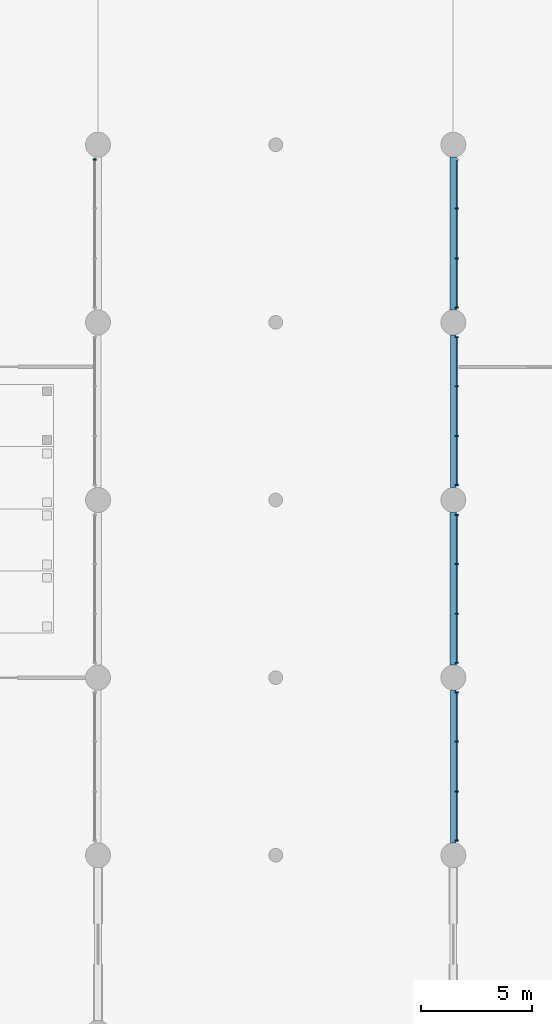
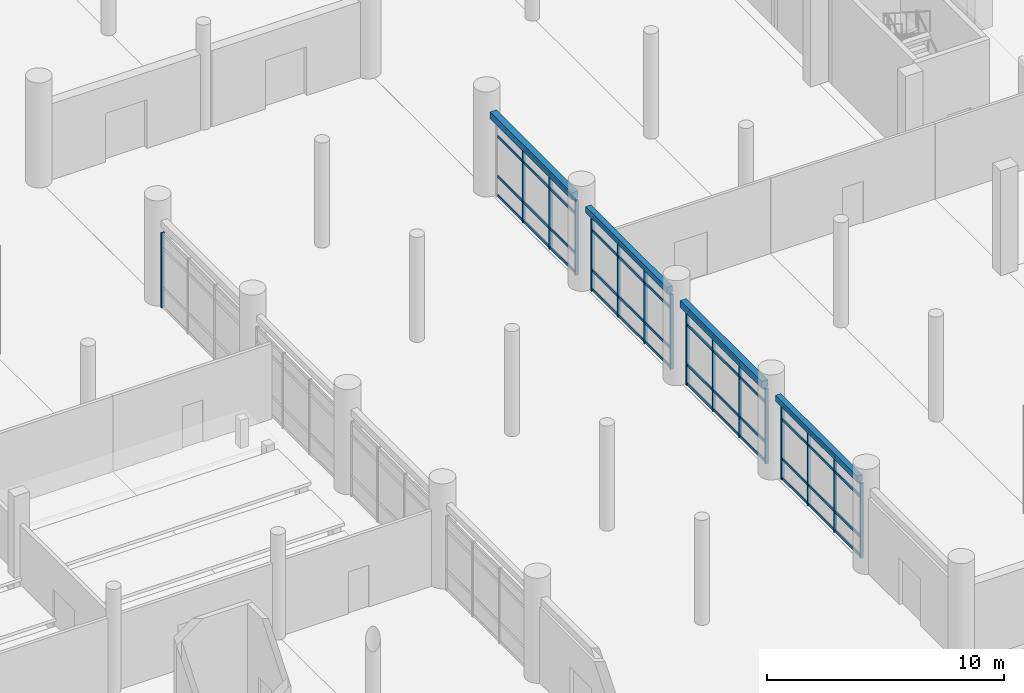
# One storey, part 6 of 42: 63 members, 4 beams, 5 elements without a shape of their own.
"""IFC4 building model written with IfcOpenShell, lengths in metres."""

from ifc_helpers import new_model, si_unit, direction, frame, origin, origin_2d, place, context, subcontext, project, spatial, rectangle, extrude, material, material_profile, profile_set, type_object, element, aggregate, save


model = new_model("IFC4")

# Units and contexts
model_context = context("Model", 3, precision=1e-05, world=origin(), true_north=direction((0.0, 1.0)))
body_context = subcontext(model_context, "Body", "Model", "MODEL_VIEW")
ifc_project = project(units=[si_unit("LENGTHUNIT", "METRE"), si_unit("AREAUNIT", "SQUARE_METRE"), si_unit("VOLUMEUNIT", "CUBIC_METRE"), si_unit("PLANEANGLEUNIT", "RADIAN"), si_unit("MASSUNIT", "GRAM", prefix="KILO")], contexts=[model_context])

# Site, building, storey
site_placement = place(None, origin())
site = spatial("IfcSite", under=ifc_project, at=site_placement, CompositionType="ELEMENT")
building_placement = place(site_placement, origin())
building = spatial("IfcBuilding", under=site, at=building_placement, Name="Pecanmere Concourse Central Library", CompositionType="ELEMENT")
storey_placement = place(building_placement, origin())
storey = spatial("IfcBuildingStorey", under=building, at=storey_placement, Name="L01", CompositionType="ELEMENT", Elevation=0.0)

# Curtain wall, members
ifc_material_1 = material(Name="Clear anodized aluminium alloy 6063-T6", Category="aluminium")
curtain_wall_type = type_object("IfcCurtainWallType", Name="CW_CLOISTER_GLAZ", PredefinedType="USERDEFINED", material=ifc_material_1)
curtain_wall_1_placement = place(storey_placement, origin())
curtain_wall_1 = element("IfcCurtainWall", 1, at=curtain_wall_1_placement, inside=storey, type_object=curtain_wall_type, Name="Unitised Curtain Wall CW-04 L01-164", ObjectType="UNITISED CURTAIN WALL", PredefinedType="USERDEFINED")
ifc_material_2 = material(Name="Clear anodized aluminium alloy 6063-T6", Category="aluminium")
ifc_material_profile_1 = material_profile(ifc_material_2, rectangle(XDim=0.06005859375, YDim=0.14990234375, at=origin_2d()), Name="AL 60x150")
ifc_profile_set_1 = profile_set([ifc_material_profile_1], Name="Clear anodized aluminium alloy 6063-T6")
member_type_1 = type_object("IfcMemberType", Name="CWM_150x60", PredefinedType="MULLION", material=ifc_profile_set_1)
member_1_placement = place(storey_placement, frame((96.14990234375, 39.330078125, 0.0), z_axis=(0.0, 0.0, 1.0), x_axis=(0.0, -1.0, 0.0)))
member_1 = element("IfcMember", 2, at=member_1_placement, type_object=member_type_1, Name="CW-04 Mullion 1", PredefinedType="MULLION", context=body_context, shape_type="SweptSolid", body=[
    extrude(rectangle(XDim=0.06005859375, YDim=0.14990234375, at=origin_2d()), origin(), (0.0, 0.0, 1.0), 3.85009765625),
])
member_2_placement = place(storey_placement, frame((96.14990234375, 37.1201171875, 0.0), z_axis=(0.0, 0.0, 1.0), x_axis=(0.0, -1.0, 0.0)))
member_2 = element("IfcMember", 3, at=member_2_placement, type_object=member_type_1, Name="CW-04 Mullion 2", PredefinedType="MULLION", context=body_context, shape_type="SweptSolid", body=[
    extrude(rectangle(XDim=0.06005859375, YDim=0.14990234375, at=origin_2d()), origin(), (0.0, 0.0, 1.0), 3.85009765625),
])
member_3_placement = place(storey_placement, frame((96.14990234375, 34.8798828125, 0.0), z_axis=(0.0, 0.0, 1.0), x_axis=(0.0, -1.0, 0.0)))
member_3 = element("IfcMember", 4, at=member_3_placement, type_object=member_type_1, Name="CW-04 Mullion 3", PredefinedType="MULLION", context=body_context, shape_type="SweptSolid", body=[
    extrude(rectangle(XDim=0.06005859375, YDim=0.14990234375, at=origin_2d()), origin(), (0.0, 0.0, 1.0), 3.85009765625),
])
member_4_placement = place(storey_placement, frame((96.14990234375, 32.669921875, 0.0), z_axis=(0.0, 0.0, 1.0), x_axis=(0.0, -1.0, 0.0)))
member_4 = element("IfcMember", 5, at=member_4_placement, type_object=member_type_1, Name="CW-04 Mullion 4", PredefinedType="MULLION", context=body_context, shape_type="SweptSolid", body=[
    extrude(rectangle(XDim=0.06005859375, YDim=0.14990234375, at=origin_2d()), origin(), (0.0, 0.0, 1.0), 3.85009765625),
])

curtain_wall_2_placement = place(storey_placement, origin())
curtain_wall_2 = element("IfcCurtainWall", 6, at=curtain_wall_2_placement, inside=storey, type_object=curtain_wall_type, Name="Unitised Curtain Wall CW-04 L01-166", ObjectType="UNITISED CURTAIN WALL", PredefinedType="USERDEFINED")
member_5_placement = place(storey_placement, frame((96.14990234375, 47.330078125, 0.0), z_axis=(0.0, 0.0, 1.0), x_axis=(0.0, -1.0, 0.0)))
member_5 = element("IfcMember", 7, at=member_5_placement, type_object=member_type_1, Name="CW-04 Mullion 1", PredefinedType="MULLION", context=body_context, shape_type="SweptSolid", body=[
    extrude(rectangle(XDim=0.06005859375, YDim=0.14990234375, at=origin_2d()), origin(), (0.0, 0.0, 1.0), 3.85009765625),
])
member_6_placement = place(storey_placement, frame((96.14990234375, 45.1201171875, 0.0), z_axis=(0.0, 0.0, 1.0), x_axis=(0.0, -1.0, 0.0)))
member_6 = element("IfcMember", 8, at=member_6_placement, type_object=member_type_1, Name="CW-04 Mullion 2", PredefinedType="MULLION", context=body_context, shape_type="SweptSolid", body=[
    extrude(rectangle(XDim=0.06005859375, YDim=0.14990234375, at=origin_2d()), origin(), (0.0, 0.0, 1.0), 3.85009765625),
])
member_7_placement = place(storey_placement, frame((96.14990234375, 42.8798828125, 0.0), z_axis=(0.0, 0.0, 1.0), x_axis=(0.0, -1.0, 0.0)))
member_7 = element("IfcMember", 9, at=member_7_placement, type_object=member_type_1, Name="CW-04 Mullion 3", PredefinedType="MULLION", context=body_context, shape_type="SweptSolid", body=[
    extrude(rectangle(XDim=0.06005859375, YDim=0.14990234375, at=origin_2d()), origin(), (0.0, 0.0, 1.0), 3.85009765625),
])
member_8_placement = place(storey_placement, frame((96.14990234375, 40.669921875, 0.0), z_axis=(0.0, 0.0, 1.0), x_axis=(0.0, -1.0, 0.0)))
member_8 = element("IfcMember", 10, at=member_8_placement, type_object=member_type_1, Name="CW-04 Mullion 4", PredefinedType="MULLION", context=body_context, shape_type="SweptSolid", body=[
    extrude(rectangle(XDim=0.06005859375, YDim=0.14990234375, at=origin_2d()), origin(), (0.0, 0.0, 1.0), 3.85009765625),
])

curtain_wall_3_placement = place(storey_placement, origin())
curtain_wall_3 = element("IfcCurtainWall", 11, at=curtain_wall_3_placement, inside=storey, type_object=curtain_wall_type, Name="Unitised Curtain Wall CW-04 L01-168", ObjectType="UNITISED CURTAIN WALL", PredefinedType="USERDEFINED")
member_9_placement = place(storey_placement, frame((96.14990234375, 55.330078125, 0.0), z_axis=(0.0, 0.0, 1.0), x_axis=(0.0, -1.0, 0.0)))
member_9 = element("IfcMember", 12, at=member_9_placement, type_object=member_type_1, Name="CW-04 Mullion 1", PredefinedType="MULLION", context=body_context, shape_type="SweptSolid", body=[
    extrude(rectangle(XDim=0.06005859375, YDim=0.14990234375, at=origin_2d()), origin(), (0.0, 0.0, 1.0), 3.85009765625),
])
member_10_placement = place(storey_placement, frame((96.14990234375, 53.1201171875, 0.0), z_axis=(0.0, 0.0, 1.0), x_axis=(0.0, -1.0, 0.0)))
member_10 = element("IfcMember", 13, at=member_10_placement, type_object=member_type_1, Name="CW-04 Mullion 2", PredefinedType="MULLION", context=body_context, shape_type="SweptSolid", body=[
    extrude(rectangle(XDim=0.06005859375, YDim=0.14990234375, at=origin_2d()), origin(), (0.0, 0.0, 1.0), 3.85009765625),
])
member_11_placement = place(storey_placement, frame((96.14990234375, 50.8798828125, 0.0), z_axis=(0.0, 0.0, 1.0), x_axis=(0.0, -1.0, 0.0)))
member_11 = element("IfcMember", 14, at=member_11_placement, type_object=member_type_1, Name="CW-04 Mullion 3", PredefinedType="MULLION", context=body_context, shape_type="SweptSolid", body=[
    extrude(rectangle(XDim=0.06005859375, YDim=0.14990234375, at=origin_2d()), origin(), (0.0, 0.0, 1.0), 3.85009765625),
])
member_12_placement = place(storey_placement, frame((96.14990234375, 48.669921875, 0.0), z_axis=(0.0, 0.0, 1.0), x_axis=(0.0, -1.0, 0.0)))
member_12 = element("IfcMember", 15, at=member_12_placement, type_object=member_type_1, Name="CW-04 Mullion 4", PredefinedType="MULLION", context=body_context, shape_type="SweptSolid", body=[
    extrude(rectangle(XDim=0.06005859375, YDim=0.14990234375, at=origin_2d()), origin(), (0.0, 0.0, 1.0), 3.85009765625),
])

# Curtain wall, member
curtain_wall_4_placement = place(storey_placement, origin())
curtain_wall_4 = element("IfcCurtainWall", 16, at=curtain_wall_4_placement, inside=storey, type_object=curtain_wall_type, Name="Unitised Curtain Wall CW-04 L01-169", ObjectType="UNITISED CURTAIN WALL", PredefinedType="USERDEFINED")
member_13_placement = place(storey_placement, frame((79.85009765625, 63.330078125, 0.0), z_axis=(0.0, 0.0, 1.0), x_axis=(0.0, 1.0, 0.0)))
member_13 = element("IfcMember", 17, at=member_13_placement, type_object=member_type_1, Name="CW-04 Mullion 4", PredefinedType="MULLION", context=body_context, shape_type="SweptSolid", body=[
    extrude(rectangle(XDim=0.06005859375, YDim=0.14990234375, at=origin_2d()), origin(), (0.0, 0.0, 1.0), 3.85009765625),
])
aggregate(curtain_wall_4, [member_13])

# Curtain wall, members
curtain_wall_5_placement = place(storey_placement, origin())
curtain_wall_5 = element("IfcCurtainWall", 18, at=curtain_wall_5_placement, inside=storey, type_object=curtain_wall_type, Name="Unitised Curtain Wall CW-04 L01-170", ObjectType="UNITISED CURTAIN WALL", PredefinedType="USERDEFINED")
member_14_placement = place(storey_placement, frame((96.14990234375, 61.1201171875, 0.0), z_axis=(0.0, 0.0, 1.0), x_axis=(0.0, -1.0, 0.0)))
member_14 = element("IfcMember", 19, at=member_14_placement, type_object=member_type_1, Name="CW-04 Mullion 2", PredefinedType="MULLION", context=body_context, shape_type="SweptSolid", body=[
    extrude(rectangle(XDim=0.06005859375, YDim=0.14990234375, at=origin_2d()), origin(), (0.0, 0.0, 1.0), 3.85009765625),
])
member_15_placement = place(storey_placement, frame((96.14990234375, 58.8798828125, 0.0), z_axis=(0.0, 0.0, 1.0), x_axis=(0.0, -1.0, 0.0)))
member_15 = element("IfcMember", 20, at=member_15_placement, type_object=member_type_1, Name="CW-04 Mullion 3", PredefinedType="MULLION", context=body_context, shape_type="SweptSolid", body=[
    extrude(rectangle(XDim=0.06005859375, YDim=0.14990234375, at=origin_2d()), origin(), (0.0, 0.0, 1.0), 3.85009765625),
])
member_16_placement = place(storey_placement, frame((96.14990234375, 56.669921875, 0.0), z_axis=(0.0, 0.0, 1.0), x_axis=(0.0, -1.0, 0.0)))
member_16 = element("IfcMember", 21, at=member_16_placement, type_object=member_type_1, Name="CW-04 Mullion 4", PredefinedType="MULLION", context=body_context, shape_type="SweptSolid", body=[
    extrude(rectangle(XDim=0.06005859375, YDim=0.14990234375, at=origin_2d()), origin(), (0.0, 0.0, 1.0), 3.85009765625),
])

# Member
ifc_material_3 = material(Name="Clear anodized aluminium alloy 6063-T6", Category="aluminium")
ifc_material_profile_2 = material_profile(ifc_material_3, rectangle(XDim=0.054931640625, YDim=0.139892578125, at=origin_2d()), Name="AL 55x140")
ifc_profile_set_2 = profile_set([ifc_material_profile_2], Name="Clear anodized aluminium alloy 6063-T6")
member_type_2 = type_object("IfcMemberType", Name="CWT_140x55", PredefinedType="USERDEFINED", material=ifc_profile_set_2)
member_17_placement = place(storey_placement, frame((96.14990234375, 39.300048828125, 0.070068359375), z_axis=(0.0, -1.0, 0.0), x_axis=(1.0, 0.0, 0.0)))
member_17 = element("IfcMember", 22, at=member_17_placement, type_object=member_type_2, Name="CW-04 Transom 1.1", ObjectType="TRANSOM", PredefinedType="USERDEFINED", context=body_context, shape_type="SweptSolid", body=[
    extrude(rectangle(XDim=0.054931640625, YDim=0.139892578125, at=origin_2d()), origin(), (0.0, 0.0, 1.0), 2.150146484375),
])

member_18_placement = place(storey_placement, frame((96.14990234375, 39.300048828125, 1.050048828125), z_axis=(0.0, -1.0, 0.0), x_axis=(1.0, 0.0, 0.0)))
member_18 = element("IfcMember", 23, at=member_18_placement, type_object=member_type_2, Name="CW-04 Transom 1.2", ObjectType="TRANSOM", PredefinedType="USERDEFINED", context=body_context, shape_type="SweptSolid", body=[
    extrude(rectangle(XDim=0.054931640625, YDim=0.139892578125, at=origin_2d()), origin(), (0.0, 0.0, 1.0), 2.150146484375),
])

member_19_placement = place(storey_placement, frame((96.14990234375, 39.300048828125, 3.10009765625), z_axis=(0.0, -1.0, 0.0), x_axis=(1.0, 0.0, 0.0)))
member_19 = element("IfcMember", 24, at=member_19_placement, type_object=member_type_2, Name="CW-04 Transom 1.3", ObjectType="TRANSOM", PredefinedType="USERDEFINED", context=body_context, shape_type="SweptSolid", body=[
    extrude(rectangle(XDim=0.054931640625, YDim=0.139892578125, at=origin_2d()), origin(), (0.0, 0.0, 1.0), 2.150146484375),
])

member_20_placement = place(storey_placement, frame((96.14990234375, 39.300048828125, 3.780029296875), z_axis=(0.0, -1.0, 0.0), x_axis=(1.0, 0.0, 0.0)))
member_20 = element("IfcMember", 25, at=member_20_placement, type_object=member_type_2, Name="CW-04 Transom 1.4", ObjectType="TRANSOM", PredefinedType="USERDEFINED", context=body_context, shape_type="SweptSolid", body=[
    extrude(rectangle(XDim=0.054931640625, YDim=0.139892578125, at=origin_2d()), origin(), (0.0, 0.0, 1.0), 2.150146484375),
])

member_21_placement = place(storey_placement, frame((96.14990234375, 37.090087890625, 0.070068359375), z_axis=(0.0, -1.0, 0.0), x_axis=(1.0, 0.0, 0.0)))
member_21 = element("IfcMember", 26, at=member_21_placement, type_object=member_type_2, Name="CW-04 Transom 2.1", ObjectType="TRANSOM", PredefinedType="USERDEFINED", context=body_context, shape_type="SweptSolid", body=[
    extrude(rectangle(XDim=0.054931640625, YDim=0.139892578125, at=origin_2d()), origin(), (0.0, 0.0, 1.0), 2.18017578125),
])

member_22_placement = place(storey_placement, frame((96.14990234375, 37.090087890625, 1.050048828125), z_axis=(0.0, -1.0, 0.0), x_axis=(1.0, 0.0, 0.0)))
member_22 = element("IfcMember", 27, at=member_22_placement, type_object=member_type_2, Name="CW-04 Transom 2.2", ObjectType="TRANSOM", PredefinedType="USERDEFINED", context=body_context, shape_type="SweptSolid", body=[
    extrude(rectangle(XDim=0.054931640625, YDim=0.139892578125, at=origin_2d()), origin(), (0.0, 0.0, 1.0), 2.18017578125),
])

member_23_placement = place(storey_placement, frame((96.14990234375, 37.090087890625, 3.10009765625), z_axis=(0.0, -1.0, 0.0), x_axis=(1.0, 0.0, 0.0)))
member_23 = element("IfcMember", 28, at=member_23_placement, type_object=member_type_2, Name="CW-04 Transom 2.3", ObjectType="TRANSOM", PredefinedType="USERDEFINED", context=body_context, shape_type="SweptSolid", body=[
    extrude(rectangle(XDim=0.054931640625, YDim=0.139892578125, at=origin_2d()), origin(), (0.0, 0.0, 1.0), 2.18017578125),
])

member_24_placement = place(storey_placement, frame((96.14990234375, 37.090087890625, 3.780029296875), z_axis=(0.0, -1.0, 0.0), x_axis=(1.0, 0.0, 0.0)))
member_24 = element("IfcMember", 29, at=member_24_placement, type_object=member_type_2, Name="CW-04 Transom 2.4", ObjectType="TRANSOM", PredefinedType="USERDEFINED", context=body_context, shape_type="SweptSolid", body=[
    extrude(rectangle(XDim=0.054931640625, YDim=0.139892578125, at=origin_2d()), origin(), (0.0, 0.0, 1.0), 2.18017578125),
])

member_25_placement = place(storey_placement, frame((96.14990234375, 34.85009765625, 0.070068359375), z_axis=(0.0, -1.0, 0.0), x_axis=(1.0, 0.0, 0.0)))
member_25 = element("IfcMember", 30, at=member_25_placement, type_object=member_type_2, Name="CW-04 Transom 3.1", ObjectType="TRANSOM", PredefinedType="USERDEFINED", context=body_context, shape_type="SweptSolid", body=[
    extrude(rectangle(XDim=0.054931640625, YDim=0.139892578125, at=origin_2d()), origin(), (0.0, 0.0, 1.0), 2.150146484375),
])

member_26_placement = place(storey_placement, frame((96.14990234375, 34.85009765625, 1.050048828125), z_axis=(0.0, -1.0, 0.0), x_axis=(1.0, 0.0, 0.0)))
member_26 = element("IfcMember", 31, at=member_26_placement, type_object=member_type_2, Name="CW-04 Transom 3.2", ObjectType="TRANSOM", PredefinedType="USERDEFINED", context=body_context, shape_type="SweptSolid", body=[
    extrude(rectangle(XDim=0.054931640625, YDim=0.139892578125, at=origin_2d()), origin(), (0.0, 0.0, 1.0), 2.150146484375),
])

member_27_placement = place(storey_placement, frame((96.14990234375, 34.85009765625, 3.10009765625), z_axis=(0.0, -1.0, 0.0), x_axis=(1.0, 0.0, 0.0)))
member_27 = element("IfcMember", 32, at=member_27_placement, type_object=member_type_2, Name="CW-04 Transom 3.3", ObjectType="TRANSOM", PredefinedType="USERDEFINED", context=body_context, shape_type="SweptSolid", body=[
    extrude(rectangle(XDim=0.054931640625, YDim=0.139892578125, at=origin_2d()), origin(), (0.0, 0.0, 1.0), 2.150146484375),
])

member_28_placement = place(storey_placement, frame((96.14990234375, 34.85009765625, 3.780029296875), z_axis=(0.0, -1.0, 0.0), x_axis=(1.0, 0.0, 0.0)))
member_28 = element("IfcMember", 33, at=member_28_placement, type_object=member_type_2, Name="CW-04 Transom 3.4", ObjectType="TRANSOM", PredefinedType="USERDEFINED", context=body_context, shape_type="SweptSolid", body=[
    extrude(rectangle(XDim=0.054931640625, YDim=0.139892578125, at=origin_2d()), origin(), (0.0, 0.0, 1.0), 2.150146484375),
])

aggregate(curtain_wall_1, [member_1, member_2, member_3, member_4, member_17, member_18, member_19, member_20, member_21, member_22, member_23, member_24, member_25, member_26, member_27, member_28])

member_29_placement = place(storey_placement, frame((96.14990234375, 47.300048828125, 0.070068359375), z_axis=(0.0, -1.0, 0.0), x_axis=(1.0, 0.0, 0.0)))
member_29 = element("IfcMember", 34, at=member_29_placement, type_object=member_type_2, Name="CW-04 Transom 1.1", ObjectType="TRANSOM", PredefinedType="USERDEFINED", context=body_context, shape_type="SweptSolid", body=[
    extrude(rectangle(XDim=0.054931640625, YDim=0.139892578125, at=origin_2d()), origin(), (0.0, 0.0, 1.0), 2.150146484375),
])

member_30_placement = place(storey_placement, frame((96.14990234375, 47.300048828125, 1.050048828125), z_axis=(0.0, -1.0, 0.0), x_axis=(1.0, 0.0, 0.0)))
member_30 = element("IfcMember", 35, at=member_30_placement, type_object=member_type_2, Name="CW-04 Transom 1.2", ObjectType="TRANSOM", PredefinedType="USERDEFINED", context=body_context, shape_type="SweptSolid", body=[
    extrude(rectangle(XDim=0.054931640625, YDim=0.139892578125, at=origin_2d()), origin(), (0.0, 0.0, 1.0), 2.150146484375),
])

member_31_placement = place(storey_placement, frame((96.14990234375, 47.300048828125, 3.10009765625), z_axis=(0.0, -1.0, 0.0), x_axis=(1.0, 0.0, 0.0)))
member_31 = element("IfcMember", 36, at=member_31_placement, type_object=member_type_2, Name="CW-04 Transom 1.3", ObjectType="TRANSOM", PredefinedType="USERDEFINED", context=body_context, shape_type="SweptSolid", body=[
    extrude(rectangle(XDim=0.054931640625, YDim=0.139892578125, at=origin_2d()), origin(), (0.0, 0.0, 1.0), 2.150146484375),
])

member_32_placement = place(storey_placement, frame((96.14990234375, 47.300048828125, 3.780029296875), z_axis=(0.0, -1.0, 0.0), x_axis=(1.0, 0.0, 0.0)))
member_32 = element("IfcMember", 37, at=member_32_placement, type_object=member_type_2, Name="CW-04 Transom 1.4", ObjectType="TRANSOM", PredefinedType="USERDEFINED", context=body_context, shape_type="SweptSolid", body=[
    extrude(rectangle(XDim=0.054931640625, YDim=0.139892578125, at=origin_2d()), origin(), (0.0, 0.0, 1.0), 2.150146484375),
])

member_33_placement = place(storey_placement, frame((96.14990234375, 45.090087890625, 0.070068359375), z_axis=(0.0, -1.0, 0.0), x_axis=(1.0, 0.0, 0.0)))
member_33 = element("IfcMember", 38, at=member_33_placement, type_object=member_type_2, Name="CW-04 Transom 2.1", ObjectType="TRANSOM", PredefinedType="USERDEFINED", context=body_context, shape_type="SweptSolid", body=[
    extrude(rectangle(XDim=0.054931640625, YDim=0.139892578125, at=origin_2d()), origin(), (0.0, 0.0, 1.0), 2.18017578125),
])

member_34_placement = place(storey_placement, frame((96.14990234375, 45.090087890625, 1.050048828125), z_axis=(0.0, -1.0, 0.0), x_axis=(1.0, 0.0, 0.0)))
member_34 = element("IfcMember", 39, at=member_34_placement, type_object=member_type_2, Name="CW-04 Transom 2.2", ObjectType="TRANSOM", PredefinedType="USERDEFINED", context=body_context, shape_type="SweptSolid", body=[
    extrude(rectangle(XDim=0.054931640625, YDim=0.139892578125, at=origin_2d()), origin(), (0.0, 0.0, 1.0), 2.18017578125),
])

member_35_placement = place(storey_placement, frame((96.14990234375, 45.090087890625, 3.10009765625), z_axis=(0.0, -1.0, 0.0), x_axis=(1.0, 0.0, 0.0)))
member_35 = element("IfcMember", 40, at=member_35_placement, type_object=member_type_2, Name="CW-04 Transom 2.3", ObjectType="TRANSOM", PredefinedType="USERDEFINED", context=body_context, shape_type="SweptSolid", body=[
    extrude(rectangle(XDim=0.054931640625, YDim=0.139892578125, at=origin_2d()), origin(), (0.0, 0.0, 1.0), 2.18017578125),
])

member_36_placement = place(storey_placement, frame((96.14990234375, 45.090087890625, 3.780029296875), z_axis=(0.0, -1.0, 0.0), x_axis=(1.0, 0.0, 0.0)))
member_36 = element("IfcMember", 41, at=member_36_placement, type_object=member_type_2, Name="CW-04 Transom 2.4", ObjectType="TRANSOM", PredefinedType="USERDEFINED", context=body_context, shape_type="SweptSolid", body=[
    extrude(rectangle(XDim=0.054931640625, YDim=0.139892578125, at=origin_2d()), origin(), (0.0, 0.0, 1.0), 2.18017578125),
])

member_37_placement = place(storey_placement, frame((96.14990234375, 42.85009765625, 0.070068359375), z_axis=(0.0, -1.0, 0.0), x_axis=(1.0, 0.0, 0.0)))
member_37 = element("IfcMember", 42, at=member_37_placement, type_object=member_type_2, Name="CW-04 Transom 3.1", ObjectType="TRANSOM", PredefinedType="USERDEFINED", context=body_context, shape_type="SweptSolid", body=[
    extrude(rectangle(XDim=0.054931640625, YDim=0.139892578125, at=origin_2d()), origin(), (0.0, 0.0, 1.0), 2.150146484375),
])

member_38_placement = place(storey_placement, frame((96.14990234375, 42.85009765625, 1.050048828125), z_axis=(0.0, -1.0, 0.0), x_axis=(1.0, 0.0, 0.0)))
member_38 = element("IfcMember", 43, at=member_38_placement, type_object=member_type_2, Name="CW-04 Transom 3.2", ObjectType="TRANSOM", PredefinedType="USERDEFINED", context=body_context, shape_type="SweptSolid", body=[
    extrude(rectangle(XDim=0.054931640625, YDim=0.139892578125, at=origin_2d()), origin(), (0.0, 0.0, 1.0), 2.150146484375),
])

member_39_placement = place(storey_placement, frame((96.14990234375, 42.85009765625, 3.10009765625), z_axis=(0.0, -1.0, 0.0), x_axis=(1.0, 0.0, 0.0)))
member_39 = element("IfcMember", 44, at=member_39_placement, type_object=member_type_2, Name="CW-04 Transom 3.3", ObjectType="TRANSOM", PredefinedType="USERDEFINED", context=body_context, shape_type="SweptSolid", body=[
    extrude(rectangle(XDim=0.054931640625, YDim=0.139892578125, at=origin_2d()), origin(), (0.0, 0.0, 1.0), 2.150146484375),
])

member_40_placement = place(storey_placement, frame((96.14990234375, 42.85009765625, 3.780029296875), z_axis=(0.0, -1.0, 0.0), x_axis=(1.0, 0.0, 0.0)))
member_40 = element("IfcMember", 45, at=member_40_placement, type_object=member_type_2, Name="CW-04 Transom 3.4", ObjectType="TRANSOM", PredefinedType="USERDEFINED", context=body_context, shape_type="SweptSolid", body=[
    extrude(rectangle(XDim=0.054931640625, YDim=0.139892578125, at=origin_2d()), origin(), (0.0, 0.0, 1.0), 2.150146484375),
])

aggregate(curtain_wall_2, [member_5, member_6, member_7, member_8, member_29, member_30, member_31, member_32, member_33, member_34, member_35, member_36, member_37, member_38, member_39, member_40])

member_41_placement = place(storey_placement, frame((96.14990234375, 55.300048828125, 0.070068359375), z_axis=(0.0, -1.0, 0.0), x_axis=(1.0, 0.0, 0.0)))
member_41 = element("IfcMember", 46, at=member_41_placement, type_object=member_type_2, Name="CW-04 Transom 1.1", ObjectType="TRANSOM", PredefinedType="USERDEFINED", context=body_context, shape_type="SweptSolid", body=[
    extrude(rectangle(XDim=0.054931640625, YDim=0.139892578125, at=origin_2d()), origin(), (0.0, 0.0, 1.0), 2.150146484375),
])

member_42_placement = place(storey_placement, frame((96.14990234375, 55.300048828125, 1.050048828125), z_axis=(0.0, -1.0, 0.0), x_axis=(1.0, 0.0, 0.0)))
member_42 = element("IfcMember", 47, at=member_42_placement, type_object=member_type_2, Name="CW-04 Transom 1.2", ObjectType="TRANSOM", PredefinedType="USERDEFINED", context=body_context, shape_type="SweptSolid", body=[
    extrude(rectangle(XDim=0.054931640625, YDim=0.139892578125, at=origin_2d()), origin(), (0.0, 0.0, 1.0), 2.150146484375),
])

member_43_placement = place(storey_placement, frame((96.14990234375, 55.300048828125, 3.10009765625), z_axis=(0.0, -1.0, 0.0), x_axis=(1.0, 0.0, 0.0)))
member_43 = element("IfcMember", 48, at=member_43_placement, type_object=member_type_2, Name="CW-04 Transom 1.3", ObjectType="TRANSOM", PredefinedType="USERDEFINED", context=body_context, shape_type="SweptSolid", body=[
    extrude(rectangle(XDim=0.054931640625, YDim=0.139892578125, at=origin_2d()), origin(), (0.0, 0.0, 1.0), 2.150146484375),
])

member_44_placement = place(storey_placement, frame((96.14990234375, 55.300048828125, 3.780029296875), z_axis=(0.0, -1.0, 0.0), x_axis=(1.0, 0.0, 0.0)))
member_44 = element("IfcMember", 49, at=member_44_placement, type_object=member_type_2, Name="CW-04 Transom 1.4", ObjectType="TRANSOM", PredefinedType="USERDEFINED", context=body_context, shape_type="SweptSolid", body=[
    extrude(rectangle(XDim=0.054931640625, YDim=0.139892578125, at=origin_2d()), origin(), (0.0, 0.0, 1.0), 2.150146484375),
])

member_45_placement = place(storey_placement, frame((96.14990234375, 53.090087890625, 0.070068359375), z_axis=(0.0, -1.0, 0.0), x_axis=(1.0, 0.0, 0.0)))
member_45 = element("IfcMember", 50, at=member_45_placement, type_object=member_type_2, Name="CW-04 Transom 2.1", ObjectType="TRANSOM", PredefinedType="USERDEFINED", context=body_context, shape_type="SweptSolid", body=[
    extrude(rectangle(XDim=0.054931640625, YDim=0.139892578125, at=origin_2d()), origin(), (0.0, 0.0, 1.0), 2.18017578125),
])

member_46_placement = place(storey_placement, frame((96.14990234375, 53.090087890625, 1.050048828125), z_axis=(0.0, -1.0, 0.0), x_axis=(1.0, 0.0, 0.0)))
member_46 = element("IfcMember", 51, at=member_46_placement, type_object=member_type_2, Name="CW-04 Transom 2.2", ObjectType="TRANSOM", PredefinedType="USERDEFINED", context=body_context, shape_type="SweptSolid", body=[
    extrude(rectangle(XDim=0.054931640625, YDim=0.139892578125, at=origin_2d()), origin(), (0.0, 0.0, 1.0), 2.18017578125),
])

member_47_placement = place(storey_placement, frame((96.14990234375, 53.090087890625, 3.10009765625), z_axis=(0.0, -1.0, 0.0), x_axis=(1.0, 0.0, 0.0)))
member_47 = element("IfcMember", 52, at=member_47_placement, type_object=member_type_2, Name="CW-04 Transom 2.3", ObjectType="TRANSOM", PredefinedType="USERDEFINED", context=body_context, shape_type="SweptSolid", body=[
    extrude(rectangle(XDim=0.054931640625, YDim=0.139892578125, at=origin_2d()), origin(), (0.0, 0.0, 1.0), 2.18017578125),
])

member_48_placement = place(storey_placement, frame((96.14990234375, 53.090087890625, 3.780029296875), z_axis=(0.0, -1.0, 0.0), x_axis=(1.0, 0.0, 0.0)))
member_48 = element("IfcMember", 53, at=member_48_placement, type_object=member_type_2, Name="CW-04 Transom 2.4", ObjectType="TRANSOM", PredefinedType="USERDEFINED", context=body_context, shape_type="SweptSolid", body=[
    extrude(rectangle(XDim=0.054931640625, YDim=0.139892578125, at=origin_2d()), origin(), (0.0, 0.0, 1.0), 2.18017578125),
])

member_49_placement = place(storey_placement, frame((96.14990234375, 50.85009765625, 0.070068359375), z_axis=(0.0, -1.0, 0.0), x_axis=(1.0, 0.0, 0.0)))
member_49 = element("IfcMember", 54, at=member_49_placement, type_object=member_type_2, Name="CW-04 Transom 3.1", ObjectType="TRANSOM", PredefinedType="USERDEFINED", context=body_context, shape_type="SweptSolid", body=[
    extrude(rectangle(XDim=0.054931640625, YDim=0.139892578125, at=origin_2d()), origin(), (0.0, 0.0, 1.0), 2.150146484375),
])

member_50_placement = place(storey_placement, frame((96.14990234375, 50.85009765625, 1.050048828125), z_axis=(0.0, -1.0, 0.0), x_axis=(1.0, 0.0, 0.0)))
member_50 = element("IfcMember", 55, at=member_50_placement, type_object=member_type_2, Name="CW-04 Transom 3.2", ObjectType="TRANSOM", PredefinedType="USERDEFINED", context=body_context, shape_type="SweptSolid", body=[
    extrude(rectangle(XDim=0.054931640625, YDim=0.139892578125, at=origin_2d()), origin(), (0.0, 0.0, 1.0), 2.150146484375),
])

member_51_placement = place(storey_placement, frame((96.14990234375, 50.85009765625, 3.10009765625), z_axis=(0.0, -1.0, 0.0), x_axis=(1.0, 0.0, 0.0)))
member_51 = element("IfcMember", 56, at=member_51_placement, type_object=member_type_2, Name="CW-04 Transom 3.3", ObjectType="TRANSOM", PredefinedType="USERDEFINED", context=body_context, shape_type="SweptSolid", body=[
    extrude(rectangle(XDim=0.054931640625, YDim=0.139892578125, at=origin_2d()), origin(), (0.0, 0.0, 1.0), 2.150146484375),
])

member_52_placement = place(storey_placement, frame((96.14990234375, 50.85009765625, 3.780029296875), z_axis=(0.0, -1.0, 0.0), x_axis=(1.0, 0.0, 0.0)))
member_52 = element("IfcMember", 57, at=member_52_placement, type_object=member_type_2, Name="CW-04 Transom 3.4", ObjectType="TRANSOM", PredefinedType="USERDEFINED", context=body_context, shape_type="SweptSolid", body=[
    extrude(rectangle(XDim=0.054931640625, YDim=0.139892578125, at=origin_2d()), origin(), (0.0, 0.0, 1.0), 2.150146484375),
])

aggregate(curtain_wall_3, [member_9, member_10, member_11, member_12, member_41, member_42, member_43, member_44, member_45, member_46, member_47, member_48, member_49, member_50, member_51, member_52])

member_53_placement = place(storey_placement, frame((96.14990234375, 63.300048828125, 0.070068359375), z_axis=(0.0, -1.0, 0.0), x_axis=(1.0, 0.0, 0.0)))
member_53 = element("IfcMember", 58, at=member_53_placement, type_object=member_type_2, Name="CW-04 Transom 1.1", ObjectType="TRANSOM", PredefinedType="USERDEFINED", context=body_context, shape_type="SweptSolid", body=[
    extrude(rectangle(XDim=0.054931640625, YDim=0.139892578125, at=origin_2d()), origin(), (0.0, 0.0, 1.0), 2.150146484375),
])

member_54_placement = place(storey_placement, frame((96.14990234375, 63.300048828125, 1.050048828125), z_axis=(0.0, -1.0, 0.0), x_axis=(1.0, 0.0, 0.0)))
member_54 = element("IfcMember", 59, at=member_54_placement, type_object=member_type_2, Name="CW-04 Transom 1.2", ObjectType="TRANSOM", PredefinedType="USERDEFINED", context=body_context, shape_type="SweptSolid", body=[
    extrude(rectangle(XDim=0.054931640625, YDim=0.139892578125, at=origin_2d()), origin(), (0.0, 0.0, 1.0), 2.150146484375),
])

member_55_placement = place(storey_placement, frame((96.14990234375, 63.300048828125, 3.10009765625), z_axis=(0.0, -1.0, 0.0), x_axis=(1.0, 0.0, 0.0)))
member_55 = element("IfcMember", 60, at=member_55_placement, type_object=member_type_2, Name="CW-04 Transom 1.3", ObjectType="TRANSOM", PredefinedType="USERDEFINED", context=body_context, shape_type="SweptSolid", body=[
    extrude(rectangle(XDim=0.054931640625, YDim=0.139892578125, at=origin_2d()), origin(), (0.0, 0.0, 1.0), 2.150146484375),
])

member_56_placement = place(storey_placement, frame((96.14990234375, 61.090087890625, 0.070068359375), z_axis=(0.0, -1.0, 0.0), x_axis=(1.0, 0.0, 0.0)))
member_56 = element("IfcMember", 61, at=member_56_placement, type_object=member_type_2, Name="CW-04 Transom 2.1", ObjectType="TRANSOM", PredefinedType="USERDEFINED", context=body_context, shape_type="SweptSolid", body=[
    extrude(rectangle(XDim=0.054931640625, YDim=0.139892578125, at=origin_2d()), origin(), (0.0, 0.0, 1.0), 2.18017578125),
])

member_57_placement = place(storey_placement, frame((96.14990234375, 61.090087890625, 1.050048828125), z_axis=(0.0, -1.0, 0.0), x_axis=(1.0, 0.0, 0.0)))
member_57 = element("IfcMember", 62, at=member_57_placement, type_object=member_type_2, Name="CW-04 Transom 2.2", ObjectType="TRANSOM", PredefinedType="USERDEFINED", context=body_context, shape_type="SweptSolid", body=[
    extrude(rectangle(XDim=0.054931640625, YDim=0.139892578125, at=origin_2d()), origin(), (0.0, 0.0, 1.0), 2.18017578125),
])

member_58_placement = place(storey_placement, frame((96.14990234375, 61.090087890625, 3.10009765625), z_axis=(0.0, -1.0, 0.0), x_axis=(1.0, 0.0, 0.0)))
member_58 = element("IfcMember", 63, at=member_58_placement, type_object=member_type_2, Name="CW-04 Transom 2.3", ObjectType="TRANSOM", PredefinedType="USERDEFINED", context=body_context, shape_type="SweptSolid", body=[
    extrude(rectangle(XDim=0.054931640625, YDim=0.139892578125, at=origin_2d()), origin(), (0.0, 0.0, 1.0), 2.18017578125),
])

member_59_placement = place(storey_placement, frame((96.14990234375, 61.090087890625, 3.780029296875), z_axis=(0.0, -1.0, 0.0), x_axis=(1.0, 0.0, 0.0)))
member_59 = element("IfcMember", 64, at=member_59_placement, type_object=member_type_2, Name="CW-04 Transom 2.4", ObjectType="TRANSOM", PredefinedType="USERDEFINED", context=body_context, shape_type="SweptSolid", body=[
    extrude(rectangle(XDim=0.054931640625, YDim=0.139892578125, at=origin_2d()), origin(), (0.0, 0.0, 1.0), 2.18017578125),
])

member_60_placement = place(storey_placement, frame((96.14990234375, 58.85009765625, 0.070068359375), z_axis=(0.0, -1.0, 0.0), x_axis=(1.0, 0.0, 0.0)))
member_60 = element("IfcMember", 65, at=member_60_placement, type_object=member_type_2, Name="CW-04 Transom 3.1", ObjectType="TRANSOM", PredefinedType="USERDEFINED", context=body_context, shape_type="SweptSolid", body=[
    extrude(rectangle(XDim=0.054931640625, YDim=0.139892578125, at=origin_2d()), origin(), (0.0, 0.0, 1.0), 2.150146484375),
])

member_61_placement = place(storey_placement, frame((96.14990234375, 58.85009765625, 1.050048828125), z_axis=(0.0, -1.0, 0.0), x_axis=(1.0, 0.0, 0.0)))
member_61 = element("IfcMember", 66, at=member_61_placement, type_object=member_type_2, Name="CW-04 Transom 3.2", ObjectType="TRANSOM", PredefinedType="USERDEFINED", context=body_context, shape_type="SweptSolid", body=[
    extrude(rectangle(XDim=0.054931640625, YDim=0.139892578125, at=origin_2d()), origin(), (0.0, 0.0, 1.0), 2.150146484375),
])

member_62_placement = place(storey_placement, frame((96.14990234375, 58.85009765625, 3.10009765625), z_axis=(0.0, -1.0, 0.0), x_axis=(1.0, 0.0, 0.0)))
member_62 = element("IfcMember", 67, at=member_62_placement, type_object=member_type_2, Name="CW-04 Transom 3.3", ObjectType="TRANSOM", PredefinedType="USERDEFINED", context=body_context, shape_type="SweptSolid", body=[
    extrude(rectangle(XDim=0.054931640625, YDim=0.139892578125, at=origin_2d()), origin(), (0.0, 0.0, 1.0), 2.150146484375),
])

member_63_placement = place(storey_placement, frame((96.14990234375, 58.85009765625, 3.780029296875), z_axis=(0.0, -1.0, 0.0), x_axis=(1.0, 0.0, 0.0)))
member_63 = element("IfcMember", 68, at=member_63_placement, type_object=member_type_2, Name="CW-04 Transom 3.4", ObjectType="TRANSOM", PredefinedType="USERDEFINED", context=body_context, shape_type="SweptSolid", body=[
    extrude(rectangle(XDim=0.054931640625, YDim=0.139892578125, at=origin_2d()), origin(), (0.0, 0.0, 1.0), 2.150146484375),
])

aggregate(curtain_wall_5, [member_14, member_15, member_16, member_53, member_54, member_55, member_56, member_57, member_58, member_59, member_60, member_61, member_62, member_63])

# Beams
ifc_material_4 = material(Name="Precast concrete C40/50", Category="concrete")
ifc_material_profile_3 = material_profile(ifc_material_4, rectangle(XDim=0.260009765625, YDim=0.31005859375, at=origin_2d()), Name="RC 260x310")
ifc_profile_set_3 = profile_set([ifc_material_profile_3], Name="Precast concrete C40/50")
beam_type_1 = type_object("IfcBeamType", Name="LNT_260x310", PredefinedType="LINTEL", material=ifc_profile_set_3)
for number, where, z_axis, x_axis, name in (
    (69, (96.0, 32.56005859375, 4.199951171875), (0.0, 1.0, 0.0), (-1.0, 0.0, 0.0), "Colonnade Architrave Lintel 2-96"),
    (70, (96.0, 48.56005859375, 4.199951171875), (0.0, 1.0, 0.0), (-1.0, 0.0, 0.0), "Colonnade Architrave Lintel 4-96"),
):
    element("IfcBeam", number, at=place(storey_placement, frame(where, z_axis=z_axis, x_axis=x_axis)), inside=storey, type_object=beam_type_1, Name=name, PredefinedType="LINTEL", context=body_context, shape_type="SweptSolid", body=[
        extrude(rectangle(XDim=0.260009765625, YDim=0.31005859375, at=origin_2d()), origin(), (0.0, 0.0, 1.0), 6.8798828125),
    ])
ifc_material_5 = material(Name="Precast concrete C40/50", Category="concrete")
ifc_material_profile_4 = material_profile(ifc_material_5, rectangle(XDim=0.300048828125, YDim=0.360107421875, at=origin_2d()), Name="RC 300x360")
ifc_profile_set_4 = profile_set([ifc_material_profile_4], Name="Precast concrete C40/50")
beam_type_2 = type_object("IfcBeamType", Name="LNT_300x360", PredefinedType="LINTEL", material=ifc_profile_set_4)
for number, where, z_axis, x_axis, name in (
    (71, (96.0, 40.56005859375, 4.199951171875), (0.0, 1.0, 0.0), (-1.0, 0.0, 0.0), "Colonnade Architrave Lintel 3-96"),
    (72, (96.0, 56.56005859375, 4.199951171875), (0.0, 1.0, 0.0), (-1.0, 0.0, 0.0), "Colonnade Architrave Lintel 5-96"),
):
    element("IfcBeam", number, at=place(storey_placement, frame(where, z_axis=z_axis, x_axis=x_axis)), inside=storey, type_object=beam_type_2, Name=name, PredefinedType="LINTEL", context=body_context, shape_type="SweptSolid", body=[
        extrude(rectangle(XDim=0.300048828125, YDim=0.360107421875, at=origin_2d()), origin(), (0.0, 0.0, 1.0), 6.8798828125),
    ])

save(model, "model.ifc")
